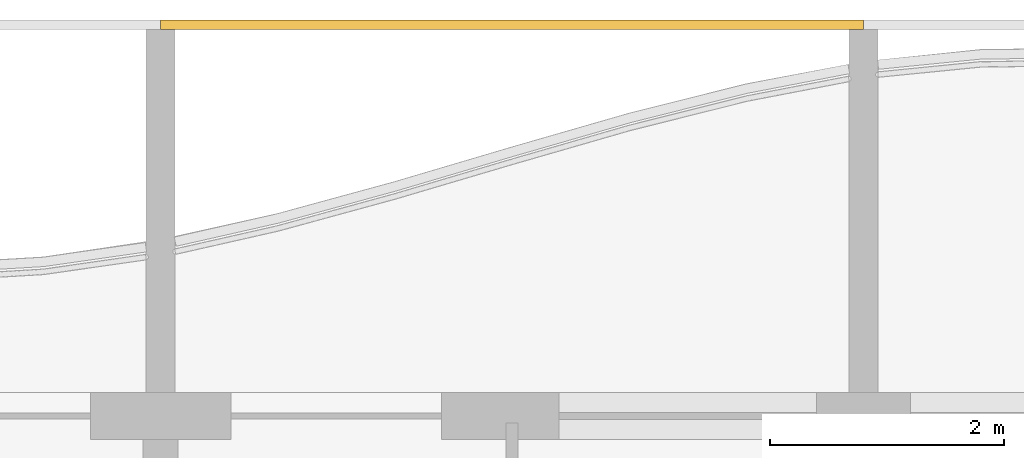
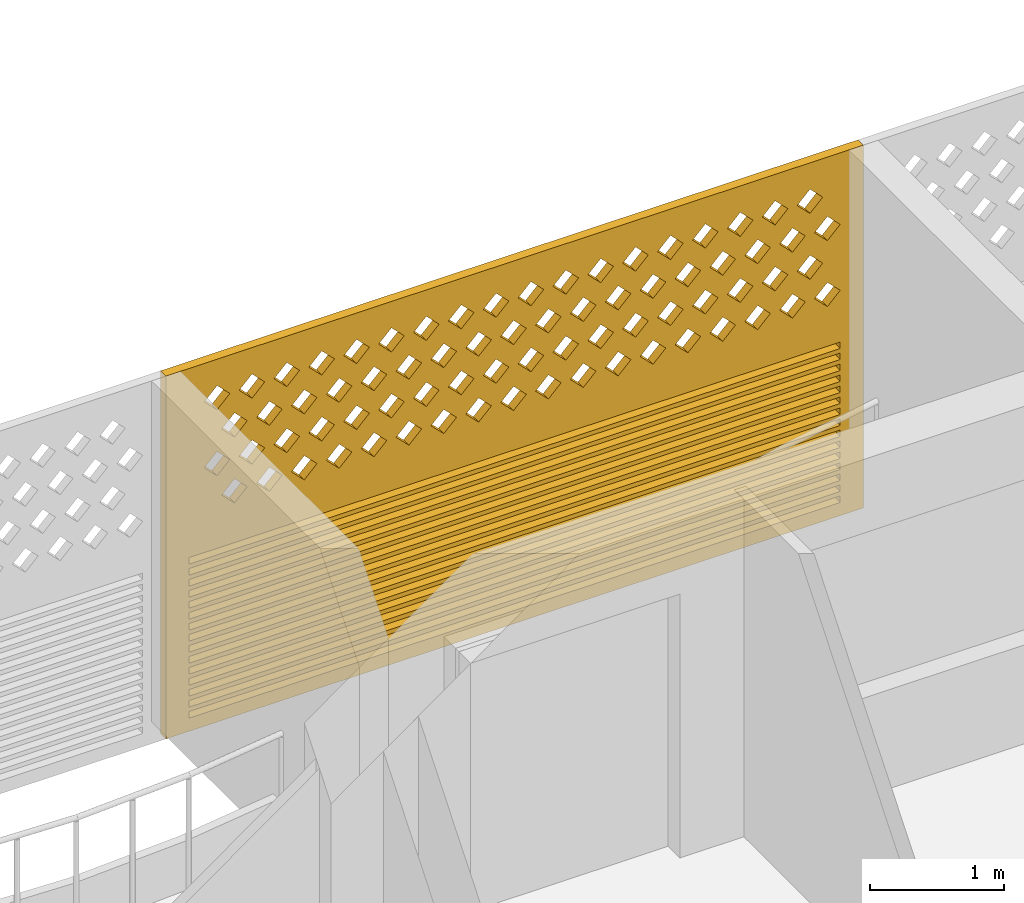
# One storey, part 29 of 31: 1 covering.
"""IFC4 building model written with IfcOpenShell, lengths in metres."""

import ifcopenshell
import ifcopenshell.guid

model = None  # the IFC model being written
_history = None  # IfcOwnerHistory: only IFC2X3 demands one
_inside = {}  # id of a spatial element -> (the spatial element, [elements in it])
_under = {}  # id of a project, library or spatial element -> (it, [spatial elements below it])
_declared = {}  # id of a project -> (the project, [libraries it declares])
_typed = {}  # id of a type object -> (the type object, [elements of that type])
_made_of = {}  # id of a material, layer set ... -> (it, [elements and type objects made of it])


def new_model(schema):
    """Start an empty IFC model of exactly this schema.

    Asked for "IFC4X3", IfcOpenShell would pick the latest addendum, in which some entities
    have other attributes; the version numbers below select the first issue.
    IFC2X3 requires an IfcOwnerHistory on every rooted entity: one is made here for all.
    """
    global model, _history
    if schema == "IFC4X3":
        model = ifcopenshell.file(schema_version=(4, 3, 0, 0))
    else:
        model = ifcopenshell.file(schema=schema)
    _inside.clear()
    _under.clear()
    _declared.clear()
    _typed.clear()
    _made_of.clear()
    _history = None
    if model.schema == "IFC2X3":
        org = make("IfcOrganization", Name="unknown")
        user = make(
            "IfcPersonAndOrganization",
            ThePerson=make("IfcPerson", FamilyName="unknown"),
            TheOrganization=org,
        )
        app = make(
            "IfcApplication",
            ApplicationDeveloper=org,
            Version="unknown",
            ApplicationFullName="unknown",
            ApplicationIdentifier="unknown",
        )
        _history = make(
            "IfcOwnerHistory",
            OwningUser=user,
            OwningApplication=app,
            ChangeAction="ADDED",
            CreationDate=0,
        )
    return model


def make(cls, **values):
    """One entity of the class cls with the attributes given. An attribute that is None is left unset."""
    return model.create_entity(
        cls, **{name: value for name, value in values.items() if value is not None}
    )


def rooted(cls, **values):
    """An entity with a GlobalId (a new one), such as an element, a storey or a relation."""
    return make(cls, GlobalId=ifcopenshell.guid.new(), OwnerHistory=_history, **values)


def si_unit(unit_type, name, prefix=None):
    """IfcSIUnit, for example si_unit("LENGTHUNIT", "METRE", prefix="MILLI")."""
    return make("IfcSIUnit", UnitType=unit_type, Prefix=prefix, Name=name)


def assignment(units):
    """IfcUnitAssignment: the units of a project."""
    return None if units is None else make("IfcUnitAssignment", Units=units)


def point(xyz):
    """IfcCartesianPoint."""
    return None if xyz is None else make("IfcCartesianPoint", Coordinates=xyz)


def direction(xyz):
    """IfcDirection."""
    return None if xyz is None else make("IfcDirection", DirectionRatios=xyz)


def frame(location, z_axis=None, x_axis=None):
    """IfcAxis2Placement3D, a coordinate frame: its origin and axes. An axis left out is left unset."""
    return make(
        "IfcAxis2Placement3D",
        Location=point(location),
        Axis=direction(z_axis),
        RefDirection=direction(x_axis),
    )


def origin():
    """The frame at (0, 0, 0) with its axes left unset."""
    return frame((0.0, 0.0, 0.0))


def place(relative_to, where):
    """IfcLocalPlacement: puts the frame where relative to a parent placement (None: the world)."""
    return make(
        "IfcLocalPlacement", PlacementRelTo=relative_to, RelativePlacement=where
    )


def context(
    kind, dimensions, precision=None, world=None, true_north=None, identifier=None
):
    """IfcGeometricRepresentationContext, for example the 3D "Model" context."""
    return make(
        "IfcGeometricRepresentationContext",
        ContextIdentifier=identifier,
        ContextType=kind,
        CoordinateSpaceDimension=dimensions,
        Precision=precision,
        WorldCoordinateSystem=world,
        TrueNorth=true_north,
    )


def subcontext(parent, identifier, kind, view, scale=None):
    """IfcGeometricRepresentationSubContext, for example "Body" below "Model"."""
    return make(
        "IfcGeometricRepresentationSubContext",
        ContextIdentifier=identifier,
        ContextType=kind,
        ParentContext=parent,
        TargetScale=scale,
        TargetView=view,
    )


def project(units=None, contexts=None):
    """IfcProject with its units and contexts."""
    return rooted(
        "IfcProject",
        Name="project",
        RepresentationContexts=contexts,
        UnitsInContext=assignment(units),
    )


def spatial(cls, under=None, at=None, **own):
    """A site, building, storey or space (cls), placed at a placement, below another one or the project."""
    s = rooted(cls, ObjectPlacement=at, **own)
    if under is not None:
        _under.setdefault(under.id(), (under, []))[1].append(s)
    return s


def polyline(points):
    """IfcPolyline through the points."""
    return make("IfcPolyline", Points=[point(p) for p in points])


def outline(outer, holes=None, kind="AREA"):
    """IfcArbitraryClosedProfileDef: a profile drawn as a closed curve; with holes, ...WithVoids."""
    if holes is None:
        return make("IfcArbitraryClosedProfileDef", ProfileType=kind, OuterCurve=outer)
    return make(
        "IfcArbitraryProfileDefWithVoids",
        ProfileType=kind,
        OuterCurve=outer,
        InnerCurves=holes,
    )


def extrude(swept, where, along, depth):
    """IfcExtrudedAreaSolid: the profile swept, set in the frame where, extruded along a direction by depth."""
    return make(
        "IfcExtrudedAreaSolid",
        SweptArea=swept,
        Position=where,
        ExtrudedDirection=direction(along),
        Depth=depth,
    )


def shape(context_of_items, identifier, shape_type, items):
    """IfcShapeRepresentation: the items that make up one representation, for example the "Body"."""
    return make(
        "IfcShapeRepresentation",
        ContextOfItems=context_of_items,
        RepresentationIdentifier=identifier,
        RepresentationType=shape_type,
        Items=items,
    )


def source(mapping_origin, context_of_items, identifier, shape_type, items):
    """IfcRepresentationMap: a shape defined once, which mapped items show again and again."""
    return make(
        "IfcRepresentationMap",
        MappingOrigin=mapping_origin,
        MappedRepresentation=shape(context_of_items, identifier, shape_type, items),
    )


def transform(
    local_origin,
    x_axis=None,
    y_axis=None,
    z_axis=None,
    scale=None,
    scale2=None,
    scale3=None,
    uniform=True,
):
    """IfcCartesianTransformationOperator3D, or its non-uniform kind. x_axis, y_axis, z_axis: its Axis1, 2, 3."""
    if uniform:
        return make(
            "IfcCartesianTransformationOperator3D",
            Axis1=direction(x_axis),
            Axis2=direction(y_axis),
            LocalOrigin=point(local_origin),
            Scale=scale,
            Axis3=direction(z_axis),
        )
    return make(
        "IfcCartesianTransformationOperator3DnonUniform",
        Axis1=direction(x_axis),
        Axis2=direction(y_axis),
        LocalOrigin=point(local_origin),
        Scale=scale,
        Axis3=direction(z_axis),
        Scale2=scale2,
        Scale3=scale3,
    )


def mapped(mapping_source, mapping_target):
    """IfcMappedItem: shows the shape of a source again, moved by a transform."""
    return make(
        "IfcMappedItem", MappingSource=mapping_source, MappingTarget=mapping_target
    )


def material(Name=None, Category=None):
    """IfcMaterial."""
    return make("IfcMaterial", Name=Name, Category=Category)


def material_profile(
    of_material, cross_section, Name=None, Category=None, Priority=None
):
    """IfcMaterialProfile: a cross section and its material."""
    return make(
        "IfcMaterialProfile",
        Name=Name,
        Material=of_material,
        Profile=cross_section,
        Priority=Priority,
        Category=Category,
    )


def profile_set(profiles, Name=None, composite=None):
    """IfcMaterialProfileSet."""
    return make(
        "IfcMaterialProfileSet",
        Name=Name,
        MaterialProfiles=profiles,
        CompositeProfile=composite,
    )


def made_of(thing, what):
    """Note that an element or type object is made of a material, layer set ...; save() writes the relation."""
    if what is not None:
        _made_of.setdefault(what.id(), (what, []))[1].append(thing)
    return thing


def type_object(cls, material=None, **own):
    """A type object (cls), such as IfcWallType, which elements share."""
    return made_of(rooted(cls, **own), material)


def element(
    cls,
    number,
    at=None,
    inside=None,
    cuts=None,
    type_object=None,
    material=None,
    context=None,
    identifier="Body",
    shape_type=None,
    held_by="IfcProductDefinitionShape",
    body=None,
    shapes=None,
    **own,
):
    """One element of the class cls, such as IfcWall. Its Tag is "e" and its number.

    at: its placement. inside: the storey or other place that contains it. cuts: it is an
    opening in that element (IfcRelVoidsElement). A single representation is given by context,
    identifier, shape_type and body (its items); several are given by shapes. held_by: the class
    of the entity that holds the representations. save() writes the other relations.
    """
    e = rooted(cls, Tag="e%d" % number, ObjectPlacement=at, **own)
    if body is not None:
        shapes = [shape(context, identifier, shape_type, body)]
    if shapes is not None:
        e.Representation = make(held_by, Representations=shapes)
    if inside is not None:
        _inside.setdefault(inside.id(), (inside, []))[1].append(e)
    if cuts is not None:
        rooted(
            "IfcRelVoidsElement", RelatingBuildingElement=cuts, RelatedOpeningElement=e
        )
    if type_object is not None:
        _typed.setdefault(type_object.id(), (type_object, []))[1].append(e)
    return made_of(e, material)


def aggregate(whole, parts):
    """IfcRelAggregates: a whole, such as a stair, and the parts it consists of."""
    return rooted("IfcRelAggregates", RelatingObject=whole, RelatedObjects=parts)


def save(model, path):
    """Write the relations noted so far, then the file.

    IfcRelAggregates (storeys below a building ...), IfcRelContainedInSpatialStructure (elements
    in a storey), IfcRelDefinesByType, IfcRelAssociatesMaterial and IfcRelDeclares: one each for
    every whole, place, type object, material and project.
    """
    for whole, parts in _under.values():
        aggregate(whole, parts)
    for where, things in _inside.values():
        rooted(
            "IfcRelContainedInSpatialStructure",
            RelatedElements=things,
            RelatingStructure=where,
        )
    for kind, things in _typed.values():
        rooted("IfcRelDefinesByType", RelatedObjects=things, RelatingType=kind)
    for what, things in _made_of.values():
        rooted("IfcRelAssociatesMaterial", RelatedObjects=things, RelatingMaterial=what)
    for by, libraries in _declared.values():
        rooted("IfcRelDeclares", RelatingContext=by, RelatedDefinitions=libraries)
    model.write(path)


model = new_model("IFC4")

# Units and contexts
model_context = context("Model", 3, precision=1e-05, world=origin(), true_north=direction((0.0, 1.0)))
body_context = subcontext(model_context, "Body", "Model", "MODEL_VIEW")
ifc_project = project(units=[si_unit("LENGTHUNIT", "METRE"), si_unit("AREAUNIT", "SQUARE_METRE"), si_unit("VOLUMEUNIT", "CUBIC_METRE"), si_unit("PLANEANGLEUNIT", "RADIAN"), si_unit("MASSUNIT", "GRAM", prefix="KILO")], contexts=[model_context])

# Site, building, storey
site_placement = place(None, origin())
site = spatial("IfcSite", under=ifc_project, at=site_placement, CompositionType="ELEMENT")
building_placement = place(site_placement, origin())
building = spatial("IfcBuilding", under=site, at=building_placement, Name="Poui Terraces", CompositionType="ELEMENT")
storey_placement = place(building_placement, frame((0.0, 0.0, 142.199951171875)))
storey = spatial("IfcBuildingStorey", under=building, at=storey_placement, Name="L39", CompositionType="ELEMENT", Elevation=142.199951171875)

# Covering
ifc_material = material(Name="Terracotta screen", Category="masonry")
ifc_material_profile = material_profile(ifc_material, outline(polyline([(-3.0, -1.64990234375), (3.0, -1.64990234375), (3.0, 1.64990234375), (-3.0, 1.64990234375), (-3.0, -1.64990234375)]), holes=[polyline([(-2.800048828125, 0.39990234375), (-2.68994140625, 0.2900390625), (-2.580078125, 0.39990234375), (-2.68994140625, 0.510009765625), (-2.800048828125, 0.39990234375)]), polyline([(-2.5, 0.39990234375), (-2.389892578125, 0.2900390625), (-2.280029296875, 0.39990234375), (-2.389892578125, 0.510009765625), (-2.5, 0.39990234375)]), polyline([(-2.199951171875, 0.39990234375), (-2.090087890625, 0.2900390625), (-1.97998046875, 0.39990234375), (-2.090087890625, 0.510009765625), (-2.199951171875, 0.39990234375)]), polyline([(-1.89990234375, 0.39990234375), (-1.7900390625, 0.2900390625), (-1.679931640625, 0.39990234375), (-1.7900390625, 0.510009765625), (-1.89990234375, 0.39990234375)]), polyline([(-1.60009765625, 0.39990234375), (-1.489990234375, 0.2900390625), (-1.3798828125, 0.39990234375), (-1.489990234375, 0.510009765625), (-1.60009765625, 0.39990234375)]), polyline([(-1.300048828125, 0.39990234375), (-1.18994140625, 0.2900390625), (-1.080078125, 0.39990234375), (-1.18994140625, 0.510009765625), (-1.300048828125, 0.39990234375)]), polyline([(-1.0, 0.39990234375), (-0.889892578125, 0.2900390625), (-0.780029296875, 0.39990234375), (-0.889892578125, 0.510009765625), (-1.0, 0.39990234375)]), polyline([(-0.699951171875, 0.39990234375), (-0.590087890625, 0.2900390625), (-0.47998046875, 0.39990234375), (-0.590087890625, 0.510009765625), (-0.699951171875, 0.39990234375)]), polyline([(-0.39990234375, 0.39990234375), (-0.2900390625, 0.2900390625), (-0.179931640625, 0.39990234375), (-0.2900390625, 0.510009765625), (-0.39990234375, 0.39990234375)]), polyline([(-0.10009765625, 0.39990234375), (0.010009765625, 0.2900390625), (0.1201171875, 0.39990234375), (0.010009765625, 0.510009765625), (-0.10009765625, 0.39990234375)]), polyline([(0.199951171875, 0.39990234375), (0.31005859375, 0.2900390625), (0.419921875, 0.39990234375), (0.31005859375, 0.510009765625), (0.199951171875, 0.39990234375)]), polyline([(0.5, 0.39990234375), (0.610107421875, 0.2900390625), (0.719970703125, 0.39990234375), (0.610107421875, 0.510009765625), (0.5, 0.39990234375)]), polyline([(0.800048828125, 0.39990234375), (0.909912109375, 0.2900390625), (1.02001953125, 0.39990234375), (0.909912109375, 0.510009765625), (0.800048828125, 0.39990234375)]), polyline([(1.10009765625, 0.39990234375), (1.2099609375, 0.2900390625), (1.320068359375, 0.39990234375), (1.2099609375, 0.510009765625), (1.10009765625, 0.39990234375)]), polyline([(1.39990234375, 0.39990234375), (1.510009765625, 0.2900390625), (1.6201171875, 0.39990234375), (1.510009765625, 0.510009765625), (1.39990234375, 0.39990234375)]), polyline([(1.699951171875, 0.39990234375), (1.81005859375, 0.2900390625), (1.919921875, 0.39990234375), (1.81005859375, 0.510009765625), (1.699951171875, 0.39990234375)]), polyline([(2.0, 0.39990234375), (2.110107421875, 0.2900390625), (2.219970703125, 0.39990234375), (2.110107421875, 0.510009765625), (2.0, 0.39990234375)]), polyline([(2.300048828125, 0.39990234375), (2.409912109375, 0.2900390625), (2.52001953125, 0.39990234375), (2.409912109375, 0.510009765625), (2.300048828125, 0.39990234375)]), polyline([(-2.64990234375, 0.699951171875), (-2.5400390625, 0.590087890625), (-2.429931640625, 0.699951171875), (-2.5400390625, 0.81005859375), (-2.64990234375, 0.699951171875)]), polyline([(-2.35009765625, 0.699951171875), (-2.239990234375, 0.590087890625), (-2.1298828125, 0.699951171875), (-2.239990234375, 0.81005859375), (-2.35009765625, 0.699951171875)]), polyline([(-2.050048828125, 0.699951171875), (-1.93994140625, 0.590087890625), (-1.830078125, 0.699951171875), (-1.93994140625, 0.81005859375), (-2.050048828125, 0.699951171875)]), polyline([(-1.75, 0.699951171875), (-1.639892578125, 0.590087890625), (-1.530029296875, 0.699951171875), (-1.639892578125, 0.81005859375), (-1.75, 0.699951171875)]), polyline([(-1.449951171875, 0.699951171875), (-1.340087890625, 0.590087890625), (-1.22998046875, 0.699951171875), (-1.340087890625, 0.81005859375), (-1.449951171875, 0.699951171875)]), polyline([(-1.14990234375, 0.699951171875), (-1.0400390625, 0.590087890625), (-0.929931640625, 0.699951171875), (-1.0400390625, 0.81005859375), (-1.14990234375, 0.699951171875)]), polyline([(-0.85009765625, 0.699951171875), (-0.739990234375, 0.590087890625), (-0.6298828125, 0.699951171875), (-0.739990234375, 0.81005859375), (-0.85009765625, 0.699951171875)]), polyline([(-0.550048828125, 0.699951171875), (-0.43994140625, 0.590087890625), (-0.330078125, 0.699951171875), (-0.43994140625, 0.81005859375), (-0.550048828125, 0.699951171875)]), polyline([(-0.25, 0.699951171875), (-0.139892578125, 0.590087890625), (-0.030029296875, 0.699951171875), (-0.139892578125, 0.81005859375), (-0.25, 0.699951171875)]), polyline([(0.050048828125, 0.699951171875), (0.159912109375, 0.590087890625), (0.27001953125, 0.699951171875), (0.159912109375, 0.81005859375), (0.050048828125, 0.699951171875)]), polyline([(0.35009765625, 0.699951171875), (0.4599609375, 0.590087890625), (0.570068359375, 0.699951171875), (0.4599609375, 0.81005859375), (0.35009765625, 0.699951171875)]), polyline([(0.64990234375, 0.699951171875), (0.760009765625, 0.590087890625), (0.8701171875, 0.699951171875), (0.760009765625, 0.81005859375), (0.64990234375, 0.699951171875)]), polyline([(0.949951171875, 0.699951171875), (1.06005859375, 0.590087890625), (1.169921875, 0.699951171875), (1.06005859375, 0.81005859375), (0.949951171875, 0.699951171875)]), polyline([(1.25, 0.699951171875), (1.360107421875, 0.590087890625), (1.469970703125, 0.699951171875), (1.360107421875, 0.81005859375), (1.25, 0.699951171875)]), polyline([(1.550048828125, 0.699951171875), (1.659912109375, 0.590087890625), (1.77001953125, 0.699951171875), (1.659912109375, 0.81005859375), (1.550048828125, 0.699951171875)]), polyline([(1.85009765625, 0.699951171875), (1.9599609375, 0.590087890625), (2.070068359375, 0.699951171875), (1.9599609375, 0.81005859375), (1.85009765625, 0.699951171875)]), polyline([(2.14990234375, 0.699951171875), (2.260009765625, 0.590087890625), (2.3701171875, 0.699951171875), (2.260009765625, 0.81005859375), (2.14990234375, 0.699951171875)]), polyline([(2.449951171875, 0.699951171875), (2.56005859375, 0.590087890625), (2.669921875, 0.699951171875), (2.56005859375, 0.81005859375), (2.449951171875, 0.699951171875)]), polyline([(-2.800048828125, 1.0), (-2.68994140625, 0.889892578125), (-2.580078125, 1.0), (-2.68994140625, 1.110107421875), (-2.800048828125, 1.0)]), polyline([(-2.5, 1.0), (-2.389892578125, 0.889892578125), (-2.280029296875, 1.0), (-2.389892578125, 1.110107421875), (-2.5, 1.0)]), polyline([(-2.199951171875, 1.0), (-2.090087890625, 0.889892578125), (-1.97998046875, 1.0), (-2.090087890625, 1.110107421875), (-2.199951171875, 1.0)]), polyline([(-1.89990234375, 1.0), (-1.7900390625, 0.889892578125), (-1.679931640625, 1.0), (-1.7900390625, 1.110107421875), (-1.89990234375, 1.0)]), polyline([(-1.60009765625, 1.0), (-1.489990234375, 0.889892578125), (-1.3798828125, 1.0), (-1.489990234375, 1.110107421875), (-1.60009765625, 1.0)]), polyline([(-1.300048828125, 1.0), (-1.18994140625, 0.889892578125), (-1.080078125, 1.0), (-1.18994140625, 1.110107421875), (-1.300048828125, 1.0)]), polyline([(-1.0, 1.0), (-0.889892578125, 0.889892578125), (-0.780029296875, 1.0), (-0.889892578125, 1.110107421875), (-1.0, 1.0)]), polyline([(-0.699951171875, 1.0), (-0.590087890625, 0.889892578125), (-0.47998046875, 1.0), (-0.590087890625, 1.110107421875), (-0.699951171875, 1.0)]), polyline([(-0.39990234375, 1.0), (-0.2900390625, 0.889892578125), (-0.179931640625, 1.0), (-0.2900390625, 1.110107421875), (-0.39990234375, 1.0)]), polyline([(-0.10009765625, 1.0), (0.010009765625, 0.889892578125), (0.1201171875, 1.0), (0.010009765625, 1.110107421875), (-0.10009765625, 1.0)]), polyline([(0.199951171875, 1.0), (0.31005859375, 0.889892578125), (0.419921875, 1.0), (0.31005859375, 1.110107421875), (0.199951171875, 1.0)]), polyline([(0.5, 1.0), (0.610107421875, 0.889892578125), (0.719970703125, 1.0), (0.610107421875, 1.110107421875), (0.5, 1.0)]), polyline([(0.800048828125, 1.0), (0.909912109375, 0.889892578125), (1.02001953125, 1.0), (0.909912109375, 1.110107421875), (0.800048828125, 1.0)]), polyline([(1.10009765625, 1.0), (1.2099609375, 0.889892578125), (1.320068359375, 1.0), (1.2099609375, 1.110107421875), (1.10009765625, 1.0)]), polyline([(1.39990234375, 1.0), (1.510009765625, 0.889892578125), (1.6201171875, 1.0), (1.510009765625, 1.110107421875), (1.39990234375, 1.0)]), polyline([(1.699951171875, 1.0), (1.81005859375, 0.889892578125), (1.919921875, 1.0), (1.81005859375, 1.110107421875), (1.699951171875, 1.0)]), polyline([(2.0, 1.0), (2.110107421875, 0.889892578125), (2.219970703125, 1.0), (2.110107421875, 1.110107421875), (2.0, 1.0)]), polyline([(2.300048828125, 1.0), (2.409912109375, 0.889892578125), (2.52001953125, 1.0), (2.409912109375, 1.110107421875), (2.300048828125, 1.0)]), polyline([(-2.64990234375, 1.300048828125), (-2.5400390625, 1.18994140625), (-2.429931640625, 1.300048828125), (-2.5400390625, 1.409912109375), (-2.64990234375, 1.300048828125)]), polyline([(-2.35009765625, 1.300048828125), (-2.239990234375, 1.18994140625), (-2.1298828125, 1.300048828125), (-2.239990234375, 1.409912109375), (-2.35009765625, 1.300048828125)]), polyline([(-2.050048828125, 1.300048828125), (-1.93994140625, 1.18994140625), (-1.830078125, 1.300048828125), (-1.93994140625, 1.409912109375), (-2.050048828125, 1.300048828125)]), polyline([(-1.75, 1.300048828125), (-1.639892578125, 1.18994140625), (-1.530029296875, 1.300048828125), (-1.639892578125, 1.409912109375), (-1.75, 1.300048828125)]), polyline([(-1.449951171875, 1.300048828125), (-1.340087890625, 1.18994140625), (-1.22998046875, 1.300048828125), (-1.340087890625, 1.409912109375), (-1.449951171875, 1.300048828125)]), polyline([(-1.14990234375, 1.300048828125), (-1.0400390625, 1.18994140625), (-0.929931640625, 1.300048828125), (-1.0400390625, 1.409912109375), (-1.14990234375, 1.300048828125)]), polyline([(-0.85009765625, 1.300048828125), (-0.739990234375, 1.18994140625), (-0.6298828125, 1.300048828125), (-0.739990234375, 1.409912109375), (-0.85009765625, 1.300048828125)]), polyline([(-0.550048828125, 1.300048828125), (-0.43994140625, 1.18994140625), (-0.330078125, 1.300048828125), (-0.43994140625, 1.409912109375), (-0.550048828125, 1.300048828125)]), polyline([(-0.25, 1.300048828125), (-0.139892578125, 1.18994140625), (-0.030029296875, 1.300048828125), (-0.139892578125, 1.409912109375), (-0.25, 1.300048828125)]), polyline([(0.050048828125, 1.300048828125), (0.159912109375, 1.18994140625), (0.27001953125, 1.300048828125), (0.159912109375, 1.409912109375), (0.050048828125, 1.300048828125)]), polyline([(0.35009765625, 1.300048828125), (0.4599609375, 1.18994140625), (0.570068359375, 1.300048828125), (0.4599609375, 1.409912109375), (0.35009765625, 1.300048828125)]), polyline([(0.64990234375, 1.300048828125), (0.760009765625, 1.18994140625), (0.8701171875, 1.300048828125), (0.760009765625, 1.409912109375), (0.64990234375, 1.300048828125)]), polyline([(0.949951171875, 1.300048828125), (1.06005859375, 1.18994140625), (1.169921875, 1.300048828125), (1.06005859375, 1.409912109375), (0.949951171875, 1.300048828125)]), polyline([(1.25, 1.300048828125), (1.360107421875, 1.18994140625), (1.469970703125, 1.300048828125), (1.360107421875, 1.409912109375), (1.25, 1.300048828125)]), polyline([(1.550048828125, 1.300048828125), (1.659912109375, 1.18994140625), (1.77001953125, 1.300048828125), (1.659912109375, 1.409912109375), (1.550048828125, 1.300048828125)]), polyline([(1.85009765625, 1.300048828125), (1.9599609375, 1.18994140625), (2.070068359375, 1.300048828125), (1.9599609375, 1.409912109375), (1.85009765625, 1.300048828125)]), polyline([(2.14990234375, 1.300048828125), (2.260009765625, 1.18994140625), (2.3701171875, 1.300048828125), (2.260009765625, 1.409912109375), (2.14990234375, 1.300048828125)]), polyline([(2.449951171875, 1.300048828125), (2.56005859375, 1.18994140625), (2.669921875, 1.300048828125), (2.56005859375, 1.409912109375), (2.449951171875, 1.300048828125)]), polyline([(-2.800048828125, -1.530029296875), (2.800048828125, -1.530029296875), (2.800048828125, -1.469970703125), (-2.800048828125, -1.469970703125), (-2.800048828125, -1.530029296875)]), polyline([(-2.800048828125, -1.429931640625), (2.800048828125, -1.429931640625), (2.800048828125, -1.3701171875), (-2.800048828125, -1.3701171875), (-2.800048828125, -1.429931640625)]), polyline([(-2.800048828125, -1.330078125), (2.800048828125, -1.330078125), (2.800048828125, -1.27001953125), (-2.800048828125, -1.27001953125), (-2.800048828125, -1.330078125)]), polyline([(-2.800048828125, -1.22998046875), (2.800048828125, -1.22998046875), (2.800048828125, -1.169921875), (-2.800048828125, -1.169921875), (-2.800048828125, -1.22998046875)]), polyline([(-2.800048828125, -1.1298828125), (2.800048828125, -1.1298828125), (2.800048828125, -1.070068359375), (-2.800048828125, -1.070068359375), (-2.800048828125, -1.1298828125)]), polyline([(-2.800048828125, -1.030029296875), (2.800048828125, -1.030029296875), (2.800048828125, -0.969970703125), (-2.800048828125, -0.969970703125), (-2.800048828125, -1.030029296875)]), polyline([(-2.800048828125, -0.929931640625), (2.800048828125, -0.929931640625), (2.800048828125, -0.8701171875), (-2.800048828125, -0.8701171875), (-2.800048828125, -0.929931640625)]), polyline([(-2.800048828125, -0.830078125), (2.800048828125, -0.830078125), (2.800048828125, -0.77001953125), (-2.800048828125, -0.77001953125), (-2.800048828125, -0.830078125)]), polyline([(-2.800048828125, -0.72998046875), (2.800048828125, -0.72998046875), (2.800048828125, -0.669921875), (-2.800048828125, -0.669921875), (-2.800048828125, -0.72998046875)]), polyline([(-2.800048828125, -0.6298828125), (2.800048828125, -0.6298828125), (2.800048828125, -0.570068359375), (-2.800048828125, -0.570068359375), (-2.800048828125, -0.6298828125)]), polyline([(-2.800048828125, -0.530029296875), (2.800048828125, -0.530029296875), (2.800048828125, -0.469970703125), (-2.800048828125, -0.469970703125), (-2.800048828125, -0.530029296875)]), polyline([(-2.800048828125, -0.429931640625), (2.800048828125, -0.429931640625), (2.800048828125, -0.3701171875), (-2.800048828125, -0.3701171875), (-2.800048828125, -0.429931640625)]), polyline([(-2.800048828125, -0.330078125), (2.800048828125, -0.330078125), (2.800048828125, -0.27001953125), (-2.800048828125, -0.27001953125), (-2.800048828125, -0.330078125)]), polyline([(-2.800048828125, -0.22998046875), (2.800048828125, -0.22998046875), (2.800048828125, -0.169921875), (-2.800048828125, -0.169921875), (-2.800048828125, -0.22998046875)]), polyline([(-2.800048828125, -0.1298828125), (2.800048828125, -0.1298828125), (2.800048828125, -0.070068359375), (-2.800048828125, -0.070068359375), (-2.800048828125, -0.1298828125)])]), Name="TERRACOTTA SCREEN AND JALOUSIE LOUVRE 6000X3300")
ifc_profile_set = profile_set([ifc_material_profile], Name="Terracotta screen")
covering_type = type_object("IfcCoveringType", Name="TERRACOTTA SCREEN AND JALOUSIE LOUVRE 6000X3300", PredefinedType="CLADDING", material=ifc_profile_set)
shared_shape = source(origin(), body_context, "Body", "SweptSolid", [
    extrude(outline(polyline([(-3.0, -1.64990234375), (3.0, -1.64990234375), (3.0, 1.64990234375), (-3.0, 1.64990234375), (-3.0, -1.64990234375)]), holes=[polyline([(-2.800048828125, 0.39990234375), (-2.68994140625, 0.2900390625), (-2.580078125, 0.39990234375), (-2.68994140625, 0.510009765625), (-2.800048828125, 0.39990234375)]), polyline([(-2.5, 0.39990234375), (-2.389892578125, 0.2900390625), (-2.280029296875, 0.39990234375), (-2.389892578125, 0.510009765625), (-2.5, 0.39990234375)]), polyline([(-2.199951171875, 0.39990234375), (-2.090087890625, 0.2900390625), (-1.97998046875, 0.39990234375), (-2.090087890625, 0.510009765625), (-2.199951171875, 0.39990234375)]), polyline([(-1.89990234375, 0.39990234375), (-1.7900390625, 0.2900390625), (-1.679931640625, 0.39990234375), (-1.7900390625, 0.510009765625), (-1.89990234375, 0.39990234375)]), polyline([(-1.60009765625, 0.39990234375), (-1.489990234375, 0.2900390625), (-1.3798828125, 0.39990234375), (-1.489990234375, 0.510009765625), (-1.60009765625, 0.39990234375)]), polyline([(-1.300048828125, 0.39990234375), (-1.18994140625, 0.2900390625), (-1.080078125, 0.39990234375), (-1.18994140625, 0.510009765625), (-1.300048828125, 0.39990234375)]), polyline([(-1.0, 0.39990234375), (-0.889892578125, 0.2900390625), (-0.780029296875, 0.39990234375), (-0.889892578125, 0.510009765625), (-1.0, 0.39990234375)]), polyline([(-0.699951171875, 0.39990234375), (-0.590087890625, 0.2900390625), (-0.47998046875, 0.39990234375), (-0.590087890625, 0.510009765625), (-0.699951171875, 0.39990234375)]), polyline([(-0.39990234375, 0.39990234375), (-0.2900390625, 0.2900390625), (-0.179931640625, 0.39990234375), (-0.2900390625, 0.510009765625), (-0.39990234375, 0.39990234375)]), polyline([(-0.10009765625, 0.39990234375), (0.010009765625, 0.2900390625), (0.1201171875, 0.39990234375), (0.010009765625, 0.510009765625), (-0.10009765625, 0.39990234375)]), polyline([(0.199951171875, 0.39990234375), (0.31005859375, 0.2900390625), (0.419921875, 0.39990234375), (0.31005859375, 0.510009765625), (0.199951171875, 0.39990234375)]), polyline([(0.5, 0.39990234375), (0.610107421875, 0.2900390625), (0.719970703125, 0.39990234375), (0.610107421875, 0.510009765625), (0.5, 0.39990234375)]), polyline([(0.800048828125, 0.39990234375), (0.909912109375, 0.2900390625), (1.02001953125, 0.39990234375), (0.909912109375, 0.510009765625), (0.800048828125, 0.39990234375)]), polyline([(1.10009765625, 0.39990234375), (1.2099609375, 0.2900390625), (1.320068359375, 0.39990234375), (1.2099609375, 0.510009765625), (1.10009765625, 0.39990234375)]), polyline([(1.39990234375, 0.39990234375), (1.510009765625, 0.2900390625), (1.6201171875, 0.39990234375), (1.510009765625, 0.510009765625), (1.39990234375, 0.39990234375)]), polyline([(1.699951171875, 0.39990234375), (1.81005859375, 0.2900390625), (1.919921875, 0.39990234375), (1.81005859375, 0.510009765625), (1.699951171875, 0.39990234375)]), polyline([(2.0, 0.39990234375), (2.110107421875, 0.2900390625), (2.219970703125, 0.39990234375), (2.110107421875, 0.510009765625), (2.0, 0.39990234375)]), polyline([(2.300048828125, 0.39990234375), (2.409912109375, 0.2900390625), (2.52001953125, 0.39990234375), (2.409912109375, 0.510009765625), (2.300048828125, 0.39990234375)]), polyline([(-2.64990234375, 0.699951171875), (-2.5400390625, 0.590087890625), (-2.429931640625, 0.699951171875), (-2.5400390625, 0.81005859375), (-2.64990234375, 0.699951171875)]), polyline([(-2.35009765625, 0.699951171875), (-2.239990234375, 0.590087890625), (-2.1298828125, 0.699951171875), (-2.239990234375, 0.81005859375), (-2.35009765625, 0.699951171875)]), polyline([(-2.050048828125, 0.699951171875), (-1.93994140625, 0.590087890625), (-1.830078125, 0.699951171875), (-1.93994140625, 0.81005859375), (-2.050048828125, 0.699951171875)]), polyline([(-1.75, 0.699951171875), (-1.639892578125, 0.590087890625), (-1.530029296875, 0.699951171875), (-1.639892578125, 0.81005859375), (-1.75, 0.699951171875)]), polyline([(-1.449951171875, 0.699951171875), (-1.340087890625, 0.590087890625), (-1.22998046875, 0.699951171875), (-1.340087890625, 0.81005859375), (-1.449951171875, 0.699951171875)]), polyline([(-1.14990234375, 0.699951171875), (-1.0400390625, 0.590087890625), (-0.929931640625, 0.699951171875), (-1.0400390625, 0.81005859375), (-1.14990234375, 0.699951171875)]), polyline([(-0.85009765625, 0.699951171875), (-0.739990234375, 0.590087890625), (-0.6298828125, 0.699951171875), (-0.739990234375, 0.81005859375), (-0.85009765625, 0.699951171875)]), polyline([(-0.550048828125, 0.699951171875), (-0.43994140625, 0.590087890625), (-0.330078125, 0.699951171875), (-0.43994140625, 0.81005859375), (-0.550048828125, 0.699951171875)]), polyline([(-0.25, 0.699951171875), (-0.139892578125, 0.590087890625), (-0.030029296875, 0.699951171875), (-0.139892578125, 0.81005859375), (-0.25, 0.699951171875)]), polyline([(0.050048828125, 0.699951171875), (0.159912109375, 0.590087890625), (0.27001953125, 0.699951171875), (0.159912109375, 0.81005859375), (0.050048828125, 0.699951171875)]), polyline([(0.35009765625, 0.699951171875), (0.4599609375, 0.590087890625), (0.570068359375, 0.699951171875), (0.4599609375, 0.81005859375), (0.35009765625, 0.699951171875)]), polyline([(0.64990234375, 0.699951171875), (0.760009765625, 0.590087890625), (0.8701171875, 0.699951171875), (0.760009765625, 0.81005859375), (0.64990234375, 0.699951171875)]), polyline([(0.949951171875, 0.699951171875), (1.06005859375, 0.590087890625), (1.169921875, 0.699951171875), (1.06005859375, 0.81005859375), (0.949951171875, 0.699951171875)]), polyline([(1.25, 0.699951171875), (1.360107421875, 0.590087890625), (1.469970703125, 0.699951171875), (1.360107421875, 0.81005859375), (1.25, 0.699951171875)]), polyline([(1.550048828125, 0.699951171875), (1.659912109375, 0.590087890625), (1.77001953125, 0.699951171875), (1.659912109375, 0.81005859375), (1.550048828125, 0.699951171875)]), polyline([(1.85009765625, 0.699951171875), (1.9599609375, 0.590087890625), (2.070068359375, 0.699951171875), (1.9599609375, 0.81005859375), (1.85009765625, 0.699951171875)]), polyline([(2.14990234375, 0.699951171875), (2.260009765625, 0.590087890625), (2.3701171875, 0.699951171875), (2.260009765625, 0.81005859375), (2.14990234375, 0.699951171875)]), polyline([(2.449951171875, 0.699951171875), (2.56005859375, 0.590087890625), (2.669921875, 0.699951171875), (2.56005859375, 0.81005859375), (2.449951171875, 0.699951171875)]), polyline([(-2.800048828125, 1.0), (-2.68994140625, 0.889892578125), (-2.580078125, 1.0), (-2.68994140625, 1.110107421875), (-2.800048828125, 1.0)]), polyline([(-2.5, 1.0), (-2.389892578125, 0.889892578125), (-2.280029296875, 1.0), (-2.389892578125, 1.110107421875), (-2.5, 1.0)]), polyline([(-2.199951171875, 1.0), (-2.090087890625, 0.889892578125), (-1.97998046875, 1.0), (-2.090087890625, 1.110107421875), (-2.199951171875, 1.0)]), polyline([(-1.89990234375, 1.0), (-1.7900390625, 0.889892578125), (-1.679931640625, 1.0), (-1.7900390625, 1.110107421875), (-1.89990234375, 1.0)]), polyline([(-1.60009765625, 1.0), (-1.489990234375, 0.889892578125), (-1.3798828125, 1.0), (-1.489990234375, 1.110107421875), (-1.60009765625, 1.0)]), polyline([(-1.300048828125, 1.0), (-1.18994140625, 0.889892578125), (-1.080078125, 1.0), (-1.18994140625, 1.110107421875), (-1.300048828125, 1.0)]), polyline([(-1.0, 1.0), (-0.889892578125, 0.889892578125), (-0.780029296875, 1.0), (-0.889892578125, 1.110107421875), (-1.0, 1.0)]), polyline([(-0.699951171875, 1.0), (-0.590087890625, 0.889892578125), (-0.47998046875, 1.0), (-0.590087890625, 1.110107421875), (-0.699951171875, 1.0)]), polyline([(-0.39990234375, 1.0), (-0.2900390625, 0.889892578125), (-0.179931640625, 1.0), (-0.2900390625, 1.110107421875), (-0.39990234375, 1.0)]), polyline([(-0.10009765625, 1.0), (0.010009765625, 0.889892578125), (0.1201171875, 1.0), (0.010009765625, 1.110107421875), (-0.10009765625, 1.0)]), polyline([(0.199951171875, 1.0), (0.31005859375, 0.889892578125), (0.419921875, 1.0), (0.31005859375, 1.110107421875), (0.199951171875, 1.0)]), polyline([(0.5, 1.0), (0.610107421875, 0.889892578125), (0.719970703125, 1.0), (0.610107421875, 1.110107421875), (0.5, 1.0)]), polyline([(0.800048828125, 1.0), (0.909912109375, 0.889892578125), (1.02001953125, 1.0), (0.909912109375, 1.110107421875), (0.800048828125, 1.0)]), polyline([(1.10009765625, 1.0), (1.2099609375, 0.889892578125), (1.320068359375, 1.0), (1.2099609375, 1.110107421875), (1.10009765625, 1.0)]), polyline([(1.39990234375, 1.0), (1.510009765625, 0.889892578125), (1.6201171875, 1.0), (1.510009765625, 1.110107421875), (1.39990234375, 1.0)]), polyline([(1.699951171875, 1.0), (1.81005859375, 0.889892578125), (1.919921875, 1.0), (1.81005859375, 1.110107421875), (1.699951171875, 1.0)]), polyline([(2.0, 1.0), (2.110107421875, 0.889892578125), (2.219970703125, 1.0), (2.110107421875, 1.110107421875), (2.0, 1.0)]), polyline([(2.300048828125, 1.0), (2.409912109375, 0.889892578125), (2.52001953125, 1.0), (2.409912109375, 1.110107421875), (2.300048828125, 1.0)]), polyline([(-2.64990234375, 1.300048828125), (-2.5400390625, 1.18994140625), (-2.429931640625, 1.300048828125), (-2.5400390625, 1.409912109375), (-2.64990234375, 1.300048828125)]), polyline([(-2.35009765625, 1.300048828125), (-2.239990234375, 1.18994140625), (-2.1298828125, 1.300048828125), (-2.239990234375, 1.409912109375), (-2.35009765625, 1.300048828125)]), polyline([(-2.050048828125, 1.300048828125), (-1.93994140625, 1.18994140625), (-1.830078125, 1.300048828125), (-1.93994140625, 1.409912109375), (-2.050048828125, 1.300048828125)]), polyline([(-1.75, 1.300048828125), (-1.639892578125, 1.18994140625), (-1.530029296875, 1.300048828125), (-1.639892578125, 1.409912109375), (-1.75, 1.300048828125)]), polyline([(-1.449951171875, 1.300048828125), (-1.340087890625, 1.18994140625), (-1.22998046875, 1.300048828125), (-1.340087890625, 1.409912109375), (-1.449951171875, 1.300048828125)]), polyline([(-1.14990234375, 1.300048828125), (-1.0400390625, 1.18994140625), (-0.929931640625, 1.300048828125), (-1.0400390625, 1.409912109375), (-1.14990234375, 1.300048828125)]), polyline([(-0.85009765625, 1.300048828125), (-0.739990234375, 1.18994140625), (-0.6298828125, 1.300048828125), (-0.739990234375, 1.409912109375), (-0.85009765625, 1.300048828125)]), polyline([(-0.550048828125, 1.300048828125), (-0.43994140625, 1.18994140625), (-0.330078125, 1.300048828125), (-0.43994140625, 1.409912109375), (-0.550048828125, 1.300048828125)]), polyline([(-0.25, 1.300048828125), (-0.139892578125, 1.18994140625), (-0.030029296875, 1.300048828125), (-0.139892578125, 1.409912109375), (-0.25, 1.300048828125)]), polyline([(0.050048828125, 1.300048828125), (0.159912109375, 1.18994140625), (0.27001953125, 1.300048828125), (0.159912109375, 1.409912109375), (0.050048828125, 1.300048828125)]), polyline([(0.35009765625, 1.300048828125), (0.4599609375, 1.18994140625), (0.570068359375, 1.300048828125), (0.4599609375, 1.409912109375), (0.35009765625, 1.300048828125)]), polyline([(0.64990234375, 1.300048828125), (0.760009765625, 1.18994140625), (0.8701171875, 1.300048828125), (0.760009765625, 1.409912109375), (0.64990234375, 1.300048828125)]), polyline([(0.949951171875, 1.300048828125), (1.06005859375, 1.18994140625), (1.169921875, 1.300048828125), (1.06005859375, 1.409912109375), (0.949951171875, 1.300048828125)]), polyline([(1.25, 1.300048828125), (1.360107421875, 1.18994140625), (1.469970703125, 1.300048828125), (1.360107421875, 1.409912109375), (1.25, 1.300048828125)]), polyline([(1.550048828125, 1.300048828125), (1.659912109375, 1.18994140625), (1.77001953125, 1.300048828125), (1.659912109375, 1.409912109375), (1.550048828125, 1.300048828125)]), polyline([(1.85009765625, 1.300048828125), (1.9599609375, 1.18994140625), (2.070068359375, 1.300048828125), (1.9599609375, 1.409912109375), (1.85009765625, 1.300048828125)]), polyline([(2.14990234375, 1.300048828125), (2.260009765625, 1.18994140625), (2.3701171875, 1.300048828125), (2.260009765625, 1.409912109375), (2.14990234375, 1.300048828125)]), polyline([(2.449951171875, 1.300048828125), (2.56005859375, 1.18994140625), (2.669921875, 1.300048828125), (2.56005859375, 1.409912109375), (2.449951171875, 1.300048828125)]), polyline([(-2.800048828125, -1.530029296875), (2.800048828125, -1.530029296875), (2.800048828125, -1.469970703125), (-2.800048828125, -1.469970703125), (-2.800048828125, -1.530029296875)]), polyline([(-2.800048828125, -1.429931640625), (2.800048828125, -1.429931640625), (2.800048828125, -1.3701171875), (-2.800048828125, -1.3701171875), (-2.800048828125, -1.429931640625)]), polyline([(-2.800048828125, -1.330078125), (2.800048828125, -1.330078125), (2.800048828125, -1.27001953125), (-2.800048828125, -1.27001953125), (-2.800048828125, -1.330078125)]), polyline([(-2.800048828125, -1.22998046875), (2.800048828125, -1.22998046875), (2.800048828125, -1.169921875), (-2.800048828125, -1.169921875), (-2.800048828125, -1.22998046875)]), polyline([(-2.800048828125, -1.1298828125), (2.800048828125, -1.1298828125), (2.800048828125, -1.070068359375), (-2.800048828125, -1.070068359375), (-2.800048828125, -1.1298828125)]), polyline([(-2.800048828125, -1.030029296875), (2.800048828125, -1.030029296875), (2.800048828125, -0.969970703125), (-2.800048828125, -0.969970703125), (-2.800048828125, -1.030029296875)]), polyline([(-2.800048828125, -0.929931640625), (2.800048828125, -0.929931640625), (2.800048828125, -0.8701171875), (-2.800048828125, -0.8701171875), (-2.800048828125, -0.929931640625)]), polyline([(-2.800048828125, -0.830078125), (2.800048828125, -0.830078125), (2.800048828125, -0.77001953125), (-2.800048828125, -0.77001953125), (-2.800048828125, -0.830078125)]), polyline([(-2.800048828125, -0.72998046875), (2.800048828125, -0.72998046875), (2.800048828125, -0.669921875), (-2.800048828125, -0.669921875), (-2.800048828125, -0.72998046875)]), polyline([(-2.800048828125, -0.6298828125), (2.800048828125, -0.6298828125), (2.800048828125, -0.570068359375), (-2.800048828125, -0.570068359375), (-2.800048828125, -0.6298828125)]), polyline([(-2.800048828125, -0.530029296875), (2.800048828125, -0.530029296875), (2.800048828125, -0.469970703125), (-2.800048828125, -0.469970703125), (-2.800048828125, -0.530029296875)]), polyline([(-2.800048828125, -0.429931640625), (2.800048828125, -0.429931640625), (2.800048828125, -0.3701171875), (-2.800048828125, -0.3701171875), (-2.800048828125, -0.429931640625)]), polyline([(-2.800048828125, -0.330078125), (2.800048828125, -0.330078125), (2.800048828125, -0.27001953125), (-2.800048828125, -0.27001953125), (-2.800048828125, -0.330078125)]), polyline([(-2.800048828125, -0.22998046875), (2.800048828125, -0.22998046875), (2.800048828125, -0.169921875), (-2.800048828125, -0.169921875), (-2.800048828125, -0.22998046875)]), polyline([(-2.800048828125, -0.1298828125), (2.800048828125, -0.1298828125), (2.800048828125, -0.070068359375), (-2.800048828125, -0.070068359375), (-2.800048828125, -0.1298828125)])]), origin(), (0.0, 0.0, 1.0), 0.080078125),
])
covering_placement = place(storey_placement, frame((75.0, 45.699951171875, 1.449951171875), z_axis=(0.0, 1.0, 0.0), x_axis=(-1.0, 0.0, 0.0)))
element("IfcCovering", 1, at=covering_placement, inside=storey, type_object=covering_type, Name="SOLAR SCREEN AND JALOUSIE LOUVRE", PredefinedType="CLADDING", context=body_context, shape_type="MappedRepresentation", body=[
    mapped(shared_shape, transform((0.0, 0.0, 0.0))),
])

save(model, "model.ifc")
